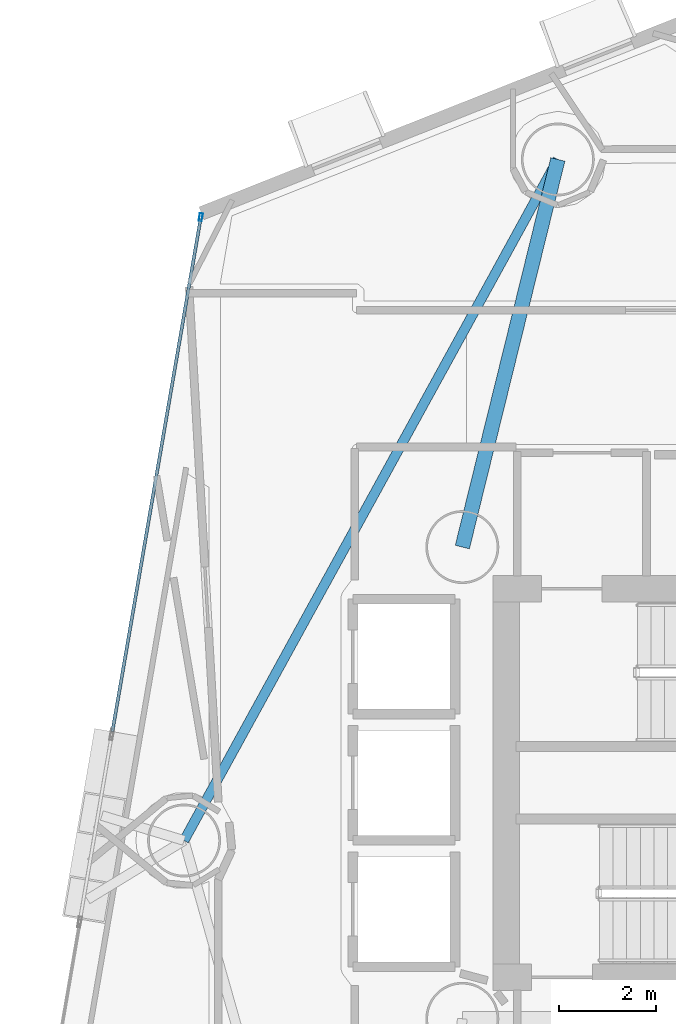
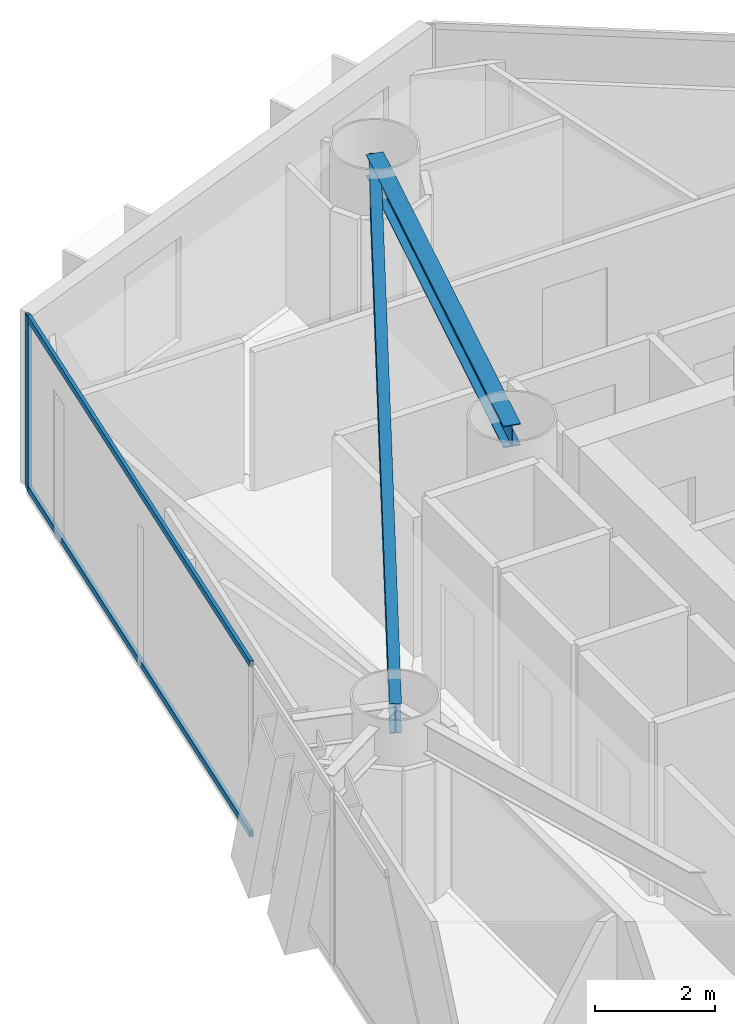
# One storey, part 9 of 21: 3 members, 2 beams, 1 element without a shape of its own.
"""IFC4 building model written with IfcOpenShell, lengths in metres."""

from ifc_helpers import new_model, si_unit, direction, frame, origin, origin_2d, place, context, subcontext, project, spatial, hollow_rectangle, i_section, extrude, material, layer, layer_set, material_profile, profile_set, type_object, element, aggregate, save


model = new_model("IFC4")

# Units and contexts
model_context = context("Model", 3, precision=1e-05, world=origin(), true_north=direction((0.0, 1.0)))
body_context = subcontext(model_context, "Body", "Model", "MODEL_VIEW")
ifc_project = project(units=[si_unit("LENGTHUNIT", "METRE"), si_unit("AREAUNIT", "SQUARE_METRE"), si_unit("VOLUMEUNIT", "CUBIC_METRE"), si_unit("PLANEANGLEUNIT", "RADIAN"), si_unit("MASSUNIT", "GRAM", prefix="KILO")], contexts=[model_context])

# Site, building, storey
site_placement = place(None, origin())
site = spatial("IfcSite", under=ifc_project, at=site_placement, CompositionType="ELEMENT")
building_placement = place(site_placement, origin())
building = spatial("IfcBuilding", under=site, at=building_placement, Name="Qianvela Tower", CompositionType="ELEMENT")
storey_placement = place(building_placement, frame((0.0, 0.0, 108.89990234375)))
storey = spatial("IfcBuildingStorey", under=building, at=storey_placement, Name="L27", CompositionType="ELEMENT", Elevation=108.89990234375)

# Beams
ifc_material_1 = material(Name="Steel Q355B", Category="steel")
ifc_material_profile_1 = material_profile(ifc_material_1, i_section(OverallWidth=0.300048828125, OverallDepth=0.43994140625, WebThickness=0.010986328125, FlangeThickness=0.01806640625, at=origin_2d()), Name="HM440x300x11x18")
ifc_profile_set_1 = profile_set([ifc_material_profile_1], Name="Steel Q355B")
beam_type_1 = type_object("IfcBeamType", Name="BM-HM440-COLL", PredefinedType="BEAM", material=ifc_profile_set_1)
beam_1_placement = place(storey_placement, frame((28.60009765625, 33.550048828125, 3.298095703125), z_axis=(0.239224384232, 0.970964311388, 0.0), x_axis=(-0.970964311388, 0.239224384232, 0.0)))
element("IfcBeam", 1, at=beam_1_placement, inside=storey, type_object=beam_type_1, Name="L27 Perimeter Ring Tie Girder 2B", PredefinedType="BEAM", context=body_context, shape_type="SweptSolid", body=[
    extrude(i_section(OverallWidth=0.300048828125, OverallDepth=0.43994140625, WebThickness=0.010986328125, FlangeThickness=0.01806640625, at=origin_2d()), origin(), (0.0, 0.0, 1.0), 8.209228515625),
])
ifc_material_2 = material(Name="Steel Q355B", Category="steel")
ifc_material_profile_2 = material_profile(ifc_material_2, i_section(OverallWidth=0.199951171875, OverallDepth=0.60009765625, WebThickness=0.010986328125, FlangeThickness=0.01708984375, at=origin_2d()), Name="HN600x200x11x17")
ifc_profile_set_2 = profile_set([ifc_material_profile_2], Name="Steel Q355B")
beam_type_2 = type_object("IfcBeamType", Name="BM-HN600-GIRD", PredefinedType="BEAM", material=ifc_profile_set_2)
beam_2_placement = place(storey_placement, frame((30.56396484375, 41.52099609375, 3.218017578125), z_axis=(-0.481118353038, -0.876655650965, 0.0), x_axis=(0.876655650965, -0.481118353038, 0.0)))
element("IfcBeam", 2, at=beam_2_placement, inside=storey, type_object=beam_type_2, Name="L27 Perimeter Ring Spandrel Girder 3", PredefinedType="BEAM", context=body_context, shape_type="SweptSolid", body=[
    extrude(i_section(OverallWidth=0.199951171875, OverallDepth=0.60009765625, WebThickness=0.010986328125, FlangeThickness=0.01708984375, at=origin_2d()), origin(), (0.0, 0.0, 1.0), 15.975341796875),
])

# Curtain wall, members
ifc_material_3 = material(Name="Anodised Architectural Aluminium and Low-E Glass", Category="aluminium")
ifc_layer = layer(ifc_material_3, 0.169921875)
ifc_layer_set = layer_set([ifc_layer], Name="Anodised Architectural Aluminium and Low-E Glass")
curtain_wall_type = type_object("IfcCurtainWallType", Name="CW-COLIV-Z34", PredefinedType="USERDEFINED", material=ifc_layer_set)
curtain_wall_placement = place(storey_placement, origin())
curtain_wall = element("IfcCurtainWall", 3, at=curtain_wall_placement, inside=storey, type_object=curtain_wall_type, Name="L27 CW-COLIV-Z34 Curtain Wall 04A", ObjectType="CURTAIN_WALL_SYSTEM", PredefinedType="USERDEFINED")
ifc_material_4 = material(Name="Anodised Architectural Aluminium 6063-T6", Category="aluminium")
ifc_material_profile_3 = material_profile(ifc_material_4, hollow_rectangle(XDim=0.06494140625, YDim=0.159912109375, WallThickness=0.0048828125, at=origin_2d()), Name="ALU-MULL-65x160")
ifc_profile_set_3 = profile_set([ifc_material_profile_3], Name="Anodised Architectural Aluminium 6063-T6")
member_type_1 = type_object("IfcMemberType", Name="CW-COLIV-Z34-MULL", PredefinedType="MULLION", material=ifc_profile_set_3)
member_1_placement = place(storey_placement, frame((23.222900390625, 40.334228515625, 0.0), z_axis=(0.0, 0.0, 1.0), x_axis=(0.985526626885, -0.169520699916, 0.0)))
member_1 = element("IfcMember", 4, at=member_1_placement, type_object=member_type_1, Name="CW-4 mullion 1", PredefinedType="MULLION", context=body_context, shape_type="SweptSolid", body=[
    extrude(hollow_rectangle(XDim=0.06494140625, YDim=0.159912109375, WallThickness=0.0048828125, at=origin_2d()), origin(), (0.0, 0.0, 1.0), 3.52001953125),
])
ifc_material_5 = material(Name="Anodised Architectural Aluminium 6063-T6", Category="aluminium")
ifc_material_profile_4 = material_profile(ifc_material_5, hollow_rectangle(XDim=0.06494140625, YDim=0.1298828125, WallThickness=0.00439453125, at=origin_2d()), Name="ALU-TRAN-65x130")
ifc_profile_set_4 = profile_set([ifc_material_profile_4], Name="Anodised Architectural Aluminium 6063-T6")
member_type_2 = type_object("IfcMemberType", Name="CW-COLIV-Z34-TRAN", PredefinedType="USERDEFINED", material=ifc_profile_set_4)
member_2_placement = place(storey_placement, frame((23.21728515625, 40.30224609375, 0.03271484375), z_axis=(-0.169506527016, -0.985529064665, 0.0), x_axis=(0.985529064665, -0.169506527016, 0.0)))
member_2 = element("IfcMember", 5, at=member_2_placement, type_object=member_type_2, Name="CW-4 transom 1.1", ObjectType="TRANSOM", PredefinedType="USERDEFINED", context=body_context, shape_type="SweptSolid", body=[
    extrude(hollow_rectangle(XDim=0.06494140625, YDim=0.1298828125, WallThickness=0.00439453125, at=origin_2d()), origin(), (0.0, 0.0, 1.0), 10.699951171875),
])
member_3_placement = place(storey_placement, frame((23.21728515625, 40.30224609375, 3.487548828125), z_axis=(-0.169506527016, -0.985529064665, 0.0), x_axis=(0.985529064665, -0.169506527016, 0.0)))
member_3 = element("IfcMember", 6, at=member_3_placement, type_object=member_type_2, Name="CW-4 transom 1.2", ObjectType="TRANSOM", PredefinedType="USERDEFINED", context=body_context, shape_type="SweptSolid", body=[
    extrude(hollow_rectangle(XDim=0.06494140625, YDim=0.1298828125, WallThickness=0.00439453125, at=origin_2d()), origin(), (0.0, 0.0, 1.0), 10.699951171875),
])
aggregate(curtain_wall, [member_1, member_2, member_3])

save(model, "model.ifc")
